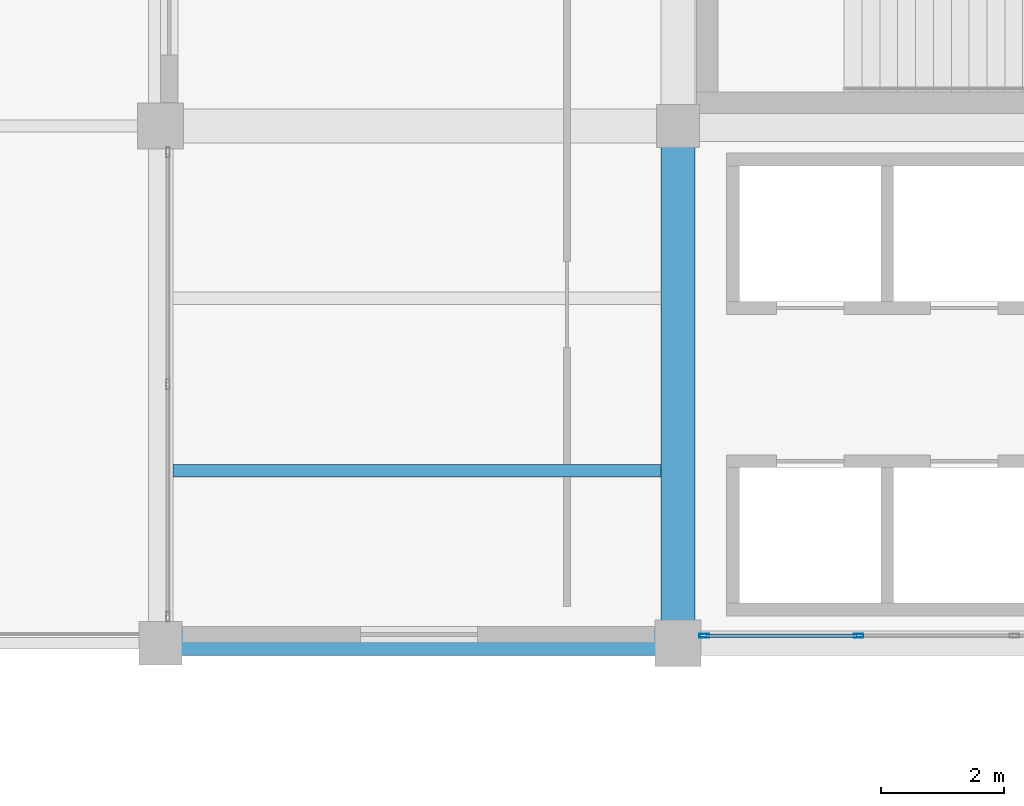
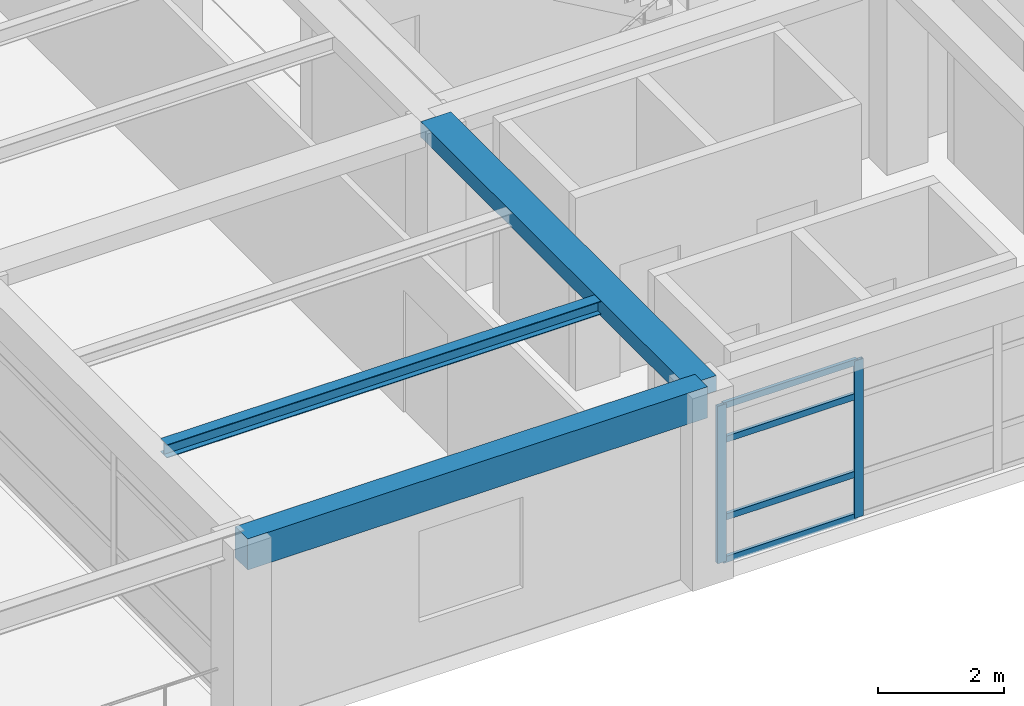
# One storey, part 7 of 35: 6 members, 3 beams, 1 element without a shape of its own.
"""IFC4 building model written with IfcOpenShell, lengths in metres."""

from ifc_helpers import new_model, si_unit, direction, frame, origin, origin_2d, place, context, subcontext, project, spatial, rectangle, hollow_rectangle, i_section, extrude, material, material_profile, profile_set, type_object, element, aggregate, save


model = new_model("IFC4")

# Units and contexts
model_context = context("Model", 3, precision=1e-05, world=origin(), true_north=direction((0.0, 1.0)))
body_context = subcontext(model_context, "Body", "Model", "MODEL_VIEW")
ifc_project = project(units=[si_unit("LENGTHUNIT", "METRE"), si_unit("AREAUNIT", "SQUARE_METRE"), si_unit("VOLUMEUNIT", "CUBIC_METRE"), si_unit("PLANEANGLEUNIT", "RADIAN"), si_unit("MASSUNIT", "GRAM", prefix="KILO")], contexts=[model_context])

# Site, building, storey
site_placement = place(None, origin())
site = spatial("IfcSite", under=ifc_project, at=site_placement, CompositionType="ELEMENT")
building_placement = place(site_placement, origin())
building = spatial("IfcBuilding", under=site, at=building_placement, Name="Almacenes y Pasaje Nevantli", CompositionType="ELEMENT")
storey_placement = place(building_placement, frame((0.0, 0.0, 26.699951171875)))
storey = spatial("IfcBuildingStorey", under=building, at=storey_placement, Name="L06", CompositionType="ELEMENT", Elevation=26.699951171875)

# Beams
ifc_material_1 = material(Name="Concrete C35/45", Category="concrete")
ifc_material_profile_1 = material_profile(ifc_material_1, rectangle(XDim=0.39990234375, YDim=0.60009765625, at=origin_2d()), Name="RC-BM-400x600")
ifc_profile_set_1 = profile_set([ifc_material_profile_1], Name="Concrete C35/45")
beam_type_1 = type_object("IfcBeamType", Name="BM-RC-400x600", PredefinedType="SPANDREL", material=ifc_profile_set_1)
beam_1_placement = place(storey_placement, frame((109.199951171875, 67.199951171875, 3.420166015625), z_axis=(1.0, 0.0, 0.0), x_axis=(0.0, 1.0, 0.0)))
element("IfcBeam", 1, at=beam_1_placement, inside=storey, type_object=beam_type_1, Name="L06 East-West Reinforced Concrete Beam #3573", PredefinedType="SPANDREL", context=body_context, shape_type="SweptSolid", body=[
    extrude(rectangle(XDim=0.39990234375, YDim=0.60009765625, at=origin_2d()), origin(), (0.0, 0.0, 1.0), 8.400146484375),
])
ifc_material_2 = material(Name="Concrete C35/45", Category="concrete")
ifc_material_profile_2 = material_profile(ifc_material_2, rectangle(XDim=0.550048828125, YDim=0.300048828125, at=origin_2d()), Name="RC-BM-550x300")
ifc_profile_set_2 = profile_set([ifc_material_profile_2], Name="Concrete C35/45")
beam_type_2 = type_object("IfcBeamType", Name="BM-RC-550x300", PredefinedType="BEAM", material=ifc_profile_set_2)
beam_2_placement = place(storey_placement, frame((117.60009765625, 67.199951171875, 3.570068359375), z_axis=(0.0, 1.0, 0.0), x_axis=(-1.0, 0.0, 0.0)))
element("IfcBeam", 2, at=beam_2_placement, inside=storey, type_object=beam_type_2, Name="L06 North-South Reinforced Concrete Beam #3607", PredefinedType="BEAM", context=body_context, shape_type="SweptSolid", body=[
    extrude(rectangle(XDim=0.550048828125, YDim=0.300048828125, at=origin_2d()), origin(), (0.0, 0.0, 1.0), 8.400146484375),
])
ifc_material_3 = material(Name="Steel ASTM A992", Category="steel")
ifc_material_profile_3 = material_profile(ifc_material_3, i_section(OverallWidth=0.2041015625, OverallDepth=0.258056640625, WebThickness=0.008056640625, FlangeThickness=0.013427734375, at=origin_2d()), Name="IR 254x58.0")
ifc_profile_set_3 = profile_set([ifc_material_profile_3], Name="Steel ASTM A992")
beam_type_3 = type_object("IfcBeamType", Name="BM-STL-IR-254x58p0", PredefinedType="JOIST", material=ifc_profile_set_3)
beam_3_placement = place(storey_placement, frame((109.39990234375, 70.0, 3.5830078125), z_axis=(1.0, 0.0, 0.0), x_axis=(0.0, 1.0, 0.0)))
element("IfcBeam", 3, at=beam_3_placement, inside=storey, type_object=beam_type_3, Name="L06 Secondary Steel Floor Joist #1353", PredefinedType="JOIST", context=body_context, shape_type="SweptSolid", body=[
    extrude(i_section(OverallWidth=0.2041015625, OverallDepth=0.258056640625, WebThickness=0.008056640625, FlangeThickness=0.013427734375, at=origin_2d()), origin(), (0.0, 0.0, 1.0), 7.925048828125),
])

# Curtain wall, members
ifc_material_4 = material(Name="Thermally Broken Aluminium and Low-E Glass", Category="aluminium")
curtain_wall_type = type_object("IfcCurtainWallType", Name="CW-UNIT-TOWER", PredefinedType="USERDEFINED", material=ifc_material_4)
curtain_wall_placement = place(storey_placement, origin())
curtain_wall = element("IfcCurtainWall", 4, at=curtain_wall_placement, inside=storey, type_object=curtain_wall_type, Name="L06 Tower South Unitized Curtain Wall Bay 15", ObjectType="UNITIZED CURTAIN WALL", PredefinedType="USERDEFINED")
ifc_material_5 = material(Name="Thermally Broken Anodized Aluminium", Category="aluminium")
ifc_material_profile_4 = material_profile(ifc_material_5, hollow_rectangle(XDim=0.06005859375, YDim=0.159912109375, WallThickness=0.00390625, at=origin_2d()), Name="ALU-MUL-60x160")
ifc_profile_set_4 = profile_set([ifc_material_profile_4], Name="Thermally Broken Anodized Aluminium")
member_type_1 = type_object("IfcMemberType", Name="CW-MUL-180", PredefinedType="MULLION", material=ifc_profile_set_4)
member_1_placement = place(storey_placement, frame((118.030029296875, 67.320068359375, 0.0), z_axis=(0.0, 0.0, 1.0), x_axis=(0.0, 1.0, 0.0)))
member_1 = element("IfcMember", 5, at=member_1_placement, type_object=member_type_1, Name="CW-L06-103 mullion 1", PredefinedType="MULLION", context=body_context, shape_type="SweptSolid", body=[
    extrude(hollow_rectangle(XDim=0.06005859375, YDim=0.159912109375, WallThickness=0.00390625, at=origin_2d()), origin(), (0.0, 0.0, 1.0), 3.0400390625),
])
member_2_placement = place(storey_placement, frame((120.533447265625, 67.320068359375, 0.0), z_axis=(0.0, 0.0, 1.0), x_axis=(0.0, 1.0, 0.0)))
member_2 = element("IfcMember", 6, at=member_2_placement, type_object=member_type_1, Name="CW-L06-103 mullion 2", PredefinedType="MULLION", context=body_context, shape_type="SweptSolid", body=[
    extrude(hollow_rectangle(XDim=0.06005859375, YDim=0.159912109375, WallThickness=0.00390625, at=origin_2d()), origin(), (0.0, 0.0, 1.0), 3.0400390625),
])
ifc_material_6 = material(Name="Thermally Broken Anodized Aluminium", Category="aluminium")
ifc_material_profile_5 = material_profile(ifc_material_6, hollow_rectangle(XDim=0.06005859375, YDim=0.1201171875, WallThickness=0.00341796875, at=origin_2d()), Name="ALU-TRN-60x120")
ifc_profile_set_5 = profile_set([ifc_material_profile_5], Name="Thermally Broken Anodized Aluminium")
member_type_2 = type_object("IfcMemberType", Name="CW-TRN-130", PredefinedType="USERDEFINED", material=ifc_profile_set_5)
member_3_placement = place(storey_placement, frame((118.06005859375, 67.320068359375, 0.030029296875), z_axis=(1.0, 0.0, 0.0), x_axis=(0.0, 1.0, 0.0)))
member_3 = element("IfcMember", 7, at=member_3_placement, type_object=member_type_2, Name="CW-L06-103 transom 1.1", ObjectType="TRANSOM", PredefinedType="USERDEFINED", context=body_context, shape_type="SweptSolid", body=[
    extrude(hollow_rectangle(XDim=0.06005859375, YDim=0.1201171875, WallThickness=0.00341796875, at=origin_2d()), origin(), (0.0, 0.0, 1.0), 2.443359375),
])
member_4_placement = place(storey_placement, frame((118.06005859375, 67.320068359375, 0.85009765625), z_axis=(1.0, 0.0, 0.0), x_axis=(0.0, 1.0, 0.0)))
member_4 = element("IfcMember", 8, at=member_4_placement, type_object=member_type_2, Name="CW-L06-103 transom 1.2", ObjectType="TRANSOM", PredefinedType="USERDEFINED", context=body_context, shape_type="SweptSolid", body=[
    extrude(hollow_rectangle(XDim=0.06005859375, YDim=0.1201171875, WallThickness=0.00341796875, at=origin_2d()), origin(), (0.0, 0.0, 1.0), 2.443359375),
])
member_5_placement = place(storey_placement, frame((118.06005859375, 67.320068359375, 2.35009765625), z_axis=(1.0, 0.0, 0.0), x_axis=(0.0, 1.0, 0.0)))
member_5 = element("IfcMember", 9, at=member_5_placement, type_object=member_type_2, Name="CW-L06-103 transom 1.3", ObjectType="TRANSOM", PredefinedType="USERDEFINED", context=body_context, shape_type="SweptSolid", body=[
    extrude(hollow_rectangle(XDim=0.06005859375, YDim=0.1201171875, WallThickness=0.00341796875, at=origin_2d()), origin(), (0.0, 0.0, 1.0), 2.443359375),
])
member_6_placement = place(storey_placement, frame((118.06005859375, 67.320068359375, 3.010009765625), z_axis=(1.0, 0.0, 0.0), x_axis=(0.0, 1.0, 0.0)))
member_6 = element("IfcMember", 10, at=member_6_placement, type_object=member_type_2, Name="CW-L06-103 transom 1.4", ObjectType="TRANSOM", PredefinedType="USERDEFINED", context=body_context, shape_type="SweptSolid", body=[
    extrude(hollow_rectangle(XDim=0.06005859375, YDim=0.1201171875, WallThickness=0.00341796875, at=origin_2d()), origin(), (0.0, 0.0, 1.0), 2.443359375),
])
aggregate(curtain_wall, [member_1, member_2, member_3, member_4, member_5, member_6])

save(model, "model.ifc")
